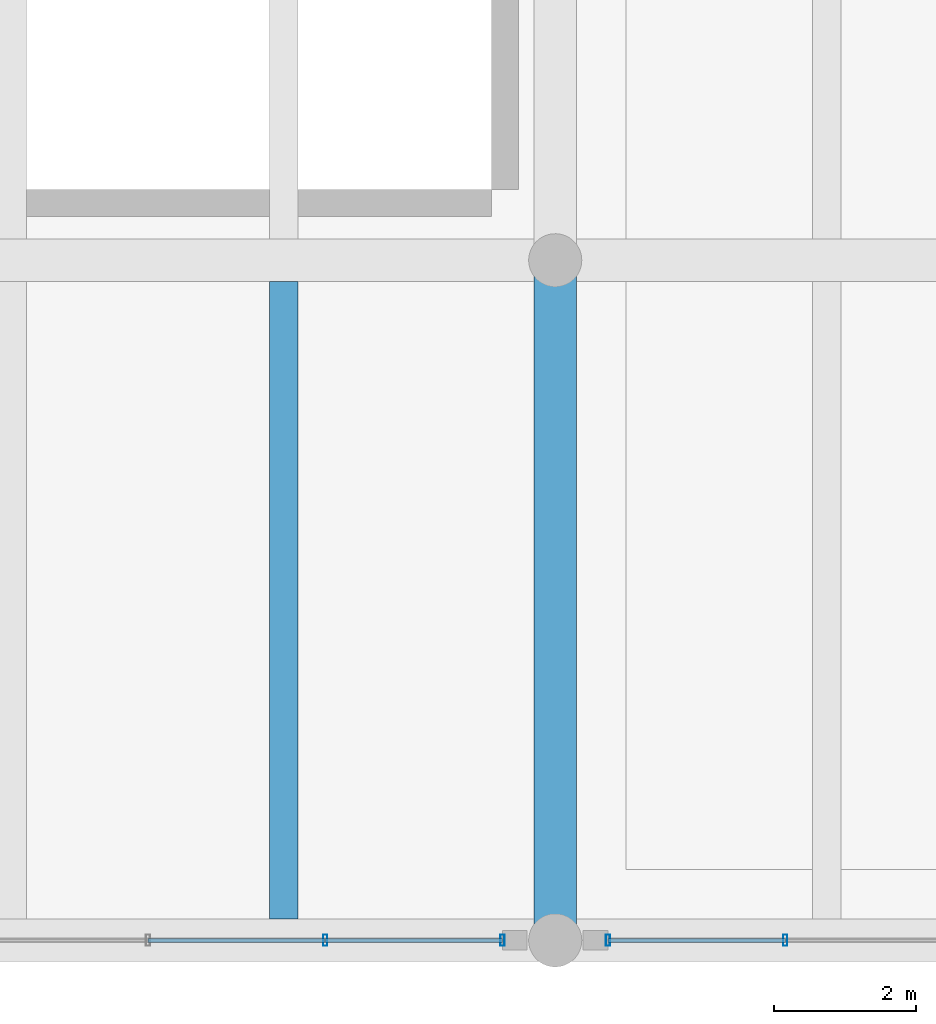
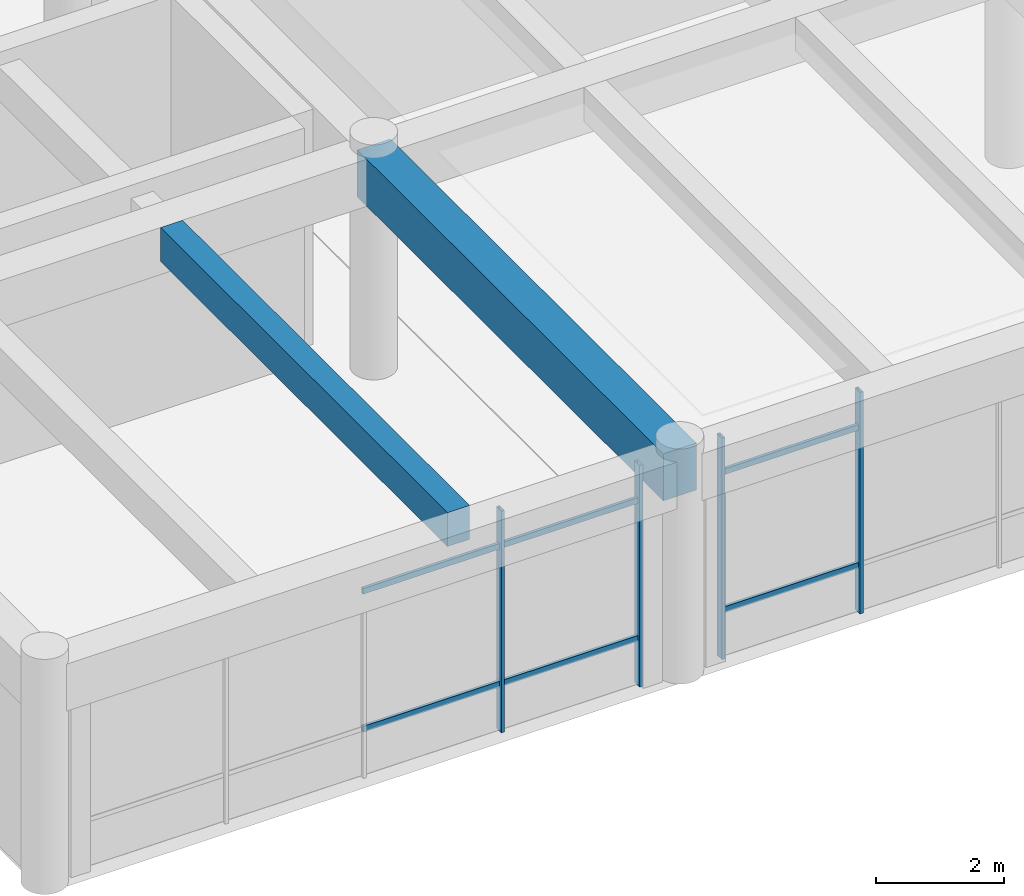
# One storey, part 27 of 154: 10 members, 2 beams, 2 elements without a shape of their own.
"""IFC4 building model written with IfcOpenShell, lengths in metres."""

from ifc_helpers import new_model, si_unit, direction, frame, origin, origin_2d, place, context, subcontext, project, spatial, rectangle, hollow_rectangle, extrude, material, material_profile, profile_set, type_object, element, aggregate, save


model = new_model("IFC4")

# Units and contexts
model_context = context("Model", 3, precision=1e-05, world=origin(), true_north=direction((0.0, 1.0)))
body_context = subcontext(model_context, "Body", "Model", "MODEL_VIEW")
ifc_project = project(units=[si_unit("LENGTHUNIT", "METRE"), si_unit("AREAUNIT", "SQUARE_METRE"), si_unit("VOLUMEUNIT", "CUBIC_METRE"), si_unit("PLANEANGLEUNIT", "RADIAN"), si_unit("MASSUNIT", "GRAM", prefix="KILO")], contexts=[model_context])

# Site, building, storey
site_placement = place(None, origin())
site = spatial("IfcSite", under=ifc_project, at=site_placement, CompositionType="ELEMENT")
building_placement = place(site_placement, origin())
building = spatial("IfcBuilding", under=site, at=building_placement, Name="Ologun Quay Terminus", CompositionType="ELEMENT")
storey_placement = place(building_placement, frame((0.0, 0.0, 13.800048828125)))
storey = spatial("IfcBuildingStorey", under=building, at=storey_placement, Name="L03", CompositionType="ELEMENT", Elevation=13.800048828125)

# Curtain wall, members
ifc_material_1 = material(Name="Aluminium 6063-T6", Category="aluminium")
curtain_wall_type = type_object("IfcCurtainWallType", Name="South Pavilion Reading Hall Curtain Wall 10700x4150", PredefinedType="USERDEFINED", material=ifc_material_1)
curtain_wall_1_placement = place(storey_placement, origin())
curtain_wall_1 = element("IfcCurtainWall", 1, at=curtain_wall_1_placement, inside=storey, type_object=curtain_wall_type, Name="CW-06 Curtain Wall CW-L03-034", ObjectType="UNITISED CURTAIN WALL", PredefinedType="USERDEFINED")
ifc_material_2 = material(Name="Aluminium 6063-T6", Category="aluminium")
ifc_material_profile_1 = material_profile(ifc_material_2, hollow_rectangle(XDim=0.06005859375, YDim=0.159912109375, WallThickness=0.00390625, at=origin_2d()), Name="ALU 160x60x4")
ifc_profile_set_1 = profile_set([ifc_material_profile_1], Name="Aluminium 6063-T6")
member_type_1 = type_object("IfcMemberType", Name="Curtain Wall Standard Mullion 160x65", PredefinedType="MULLION", material=ifc_profile_set_1)
member_1_placement = place(storey_placement, frame((65.75244140625, 8.0, 0.0), z_axis=(0.0, 0.0, 1.0), x_axis=(1.0, 0.0, 0.0)))
member_1 = element("IfcMember", 2, at=member_1_placement, type_object=member_type_1, Name="CW-L03-034 Mullion 4", PredefinedType="MULLION", context=body_context, shape_type="SweptSolid", body=[
    extrude(hollow_rectangle(XDim=0.06005859375, YDim=0.159912109375, WallThickness=0.00390625, at=origin_2d()), origin(), (0.0, 0.0, 1.0), 4.239990234375),
])
member_2_placement = place(storey_placement, frame((68.2548828125, 8.0, 0.0), z_axis=(0.0, 0.0, 1.0), x_axis=(1.0, 0.0, 0.0)))
member_2 = element("IfcMember", 3, at=member_2_placement, type_object=member_type_1, Name="CW-L03-034 Mullion 5", PredefinedType="MULLION", context=body_context, shape_type="SweptSolid", body=[
    extrude(hollow_rectangle(XDim=0.06005859375, YDim=0.159912109375, WallThickness=0.00390625, at=origin_2d()), origin(), (0.0, 0.0, 1.0), 4.239990234375),
])

curtain_wall_2_placement = place(storey_placement, origin())
curtain_wall_2 = element("IfcCurtainWall", 4, at=curtain_wall_2_placement, inside=storey, type_object=curtain_wall_type, Name="CW-06 Curtain Wall CW-L03-035", ObjectType="UNITISED CURTAIN WALL", PredefinedType="USERDEFINED")
member_3_placement = place(storey_placement, frame((69.7451171875, 8.0, 0.0), z_axis=(0.0, 0.0, 1.0), x_axis=(1.0, 0.0, 0.0)))
member_3 = element("IfcMember", 5, at=member_3_placement, type_object=member_type_1, Name="CW-L03-035 Mullion 1", PredefinedType="MULLION", context=body_context, shape_type="SweptSolid", body=[
    extrude(hollow_rectangle(XDim=0.06005859375, YDim=0.159912109375, WallThickness=0.00390625, at=origin_2d()), origin(), (0.0, 0.0, 1.0), 4.239990234375),
])
member_4_placement = place(storey_placement, frame((72.24755859375, 8.0, 0.0), z_axis=(0.0, 0.0, 1.0), x_axis=(1.0, 0.0, 0.0)))
member_4 = element("IfcMember", 6, at=member_4_placement, type_object=member_type_1, Name="CW-L03-035 Mullion 2", PredefinedType="MULLION", context=body_context, shape_type="SweptSolid", body=[
    extrude(hollow_rectangle(XDim=0.06005859375, YDim=0.159912109375, WallThickness=0.00390625, at=origin_2d()), origin(), (0.0, 0.0, 1.0), 4.239990234375),
])

# Member
ifc_material_3 = material(Name="Aluminium 6063-T6", Category="aluminium")
ifc_material_profile_2 = material_profile(ifc_material_3, hollow_rectangle(XDim=0.054931640625, YDim=0.110107421875, WallThickness=0.00390625, at=origin_2d()), Name="ALU 110x55x4")
ifc_profile_set_2 = profile_set([ifc_material_profile_2], Name="Aluminium 6063-T6")
member_type_2 = type_object("IfcMemberType", Name="Curtain Wall Standard Transom 110x55", PredefinedType="USERDEFINED", material=ifc_profile_set_2)
member_5_placement = place(storey_placement, frame((63.25, 8.0, 0.89990234375), z_axis=(1.0, 0.0, 0.0), x_axis=(0.0, 1.0, 0.0)))
member_5 = element("IfcMember", 7, at=member_5_placement, type_object=member_type_2, Name="CW-L03-034 Transom B3-1", ObjectType="TRANSOM", PredefinedType="USERDEFINED", context=body_context, shape_type="SweptSolid", body=[
    extrude(hollow_rectangle(XDim=0.054931640625, YDim=0.110107421875, WallThickness=0.00390625, at=origin_2d()), origin(), (0.0, 0.0, 1.0), 2.50244140625),
])

member_6_placement = place(storey_placement, frame((63.25, 8.0, 3.5400390625), z_axis=(1.0, 0.0, 0.0), x_axis=(0.0, 1.0, 0.0)))
member_6 = element("IfcMember", 8, at=member_6_placement, type_object=member_type_2, Name="CW-L03-034 Transom B3-2", ObjectType="TRANSOM", PredefinedType="USERDEFINED", context=body_context, shape_type="SweptSolid", body=[
    extrude(hollow_rectangle(XDim=0.054931640625, YDim=0.110107421875, WallThickness=0.00390625, at=origin_2d()), origin(), (0.0, 0.0, 1.0), 2.50244140625),
])

member_7_placement = place(storey_placement, frame((65.75244140625, 8.0, 0.89990234375), z_axis=(1.0, 0.0, 0.0), x_axis=(0.0, 1.0, 0.0)))
member_7 = element("IfcMember", 9, at=member_7_placement, type_object=member_type_2, Name="CW-L03-034 Transom B4-1", ObjectType="TRANSOM", PredefinedType="USERDEFINED", context=body_context, shape_type="SweptSolid", body=[
    extrude(hollow_rectangle(XDim=0.054931640625, YDim=0.110107421875, WallThickness=0.00390625, at=origin_2d()), origin(), (0.0, 0.0, 1.0), 2.50244140625),
])

member_8_placement = place(storey_placement, frame((65.75244140625, 8.0, 3.5400390625), z_axis=(1.0, 0.0, 0.0), x_axis=(0.0, 1.0, 0.0)))
member_8 = element("IfcMember", 10, at=member_8_placement, type_object=member_type_2, Name="CW-L03-034 Transom B4-2", ObjectType="TRANSOM", PredefinedType="USERDEFINED", context=body_context, shape_type="SweptSolid", body=[
    extrude(hollow_rectangle(XDim=0.054931640625, YDim=0.110107421875, WallThickness=0.00390625, at=origin_2d()), origin(), (0.0, 0.0, 1.0), 2.50244140625),
])

aggregate(curtain_wall_1, [member_1, member_2, member_5, member_6, member_7, member_8])

member_9_placement = place(storey_placement, frame((69.7451171875, 8.0, 0.89990234375), z_axis=(1.0, 0.0, 0.0), x_axis=(0.0, 1.0, 0.0)))
member_9 = element("IfcMember", 11, at=member_9_placement, type_object=member_type_2, Name="CW-L03-035 Transom B1-1", ObjectType="TRANSOM", PredefinedType="USERDEFINED", context=body_context, shape_type="SweptSolid", body=[
    extrude(hollow_rectangle(XDim=0.054931640625, YDim=0.110107421875, WallThickness=0.00390625, at=origin_2d()), origin(), (0.0, 0.0, 1.0), 2.50244140625),
])

member_10_placement = place(storey_placement, frame((69.7451171875, 8.0, 3.5400390625), z_axis=(1.0, 0.0, 0.0), x_axis=(0.0, 1.0, 0.0)))
member_10 = element("IfcMember", 12, at=member_10_placement, type_object=member_type_2, Name="CW-L03-035 Transom B1-2", ObjectType="TRANSOM", PredefinedType="USERDEFINED", context=body_context, shape_type="SweptSolid", body=[
    extrude(hollow_rectangle(XDim=0.054931640625, YDim=0.110107421875, WallThickness=0.00390625, at=origin_2d()), origin(), (0.0, 0.0, 1.0), 2.50244140625),
])

aggregate(curtain_wall_2, [member_3, member_4, member_9, member_10])

# Beams
ifc_material_4 = material(Name="Concrete C40/50", Category="concrete")
ifc_material_profile_3 = material_profile(ifc_material_4, rectangle(XDim=0.60009765625, YDim=0.89990234375, at=origin_2d()), Name="RC 600x900")
ifc_profile_set_3 = profile_set([ifc_material_profile_3], Name="Concrete C40/50")
beam_type_1 = type_object("IfcBeamType", Name="Station Frame Girder 600x900", PredefinedType="BEAM", material=ifc_profile_set_3)
beam_1_placement = place(storey_placement, frame((69.0, 8.0, 3.800048828125), z_axis=(0.0, 1.0, 0.0), x_axis=(-1.0, 0.0, 0.0)))
element("IfcBeam", 13, at=beam_1_placement, inside=storey, type_object=beam_type_1, Name="B3 Beam 7/B L03", PredefinedType="BEAM", context=body_context, shape_type="SweptSolid", body=[
    extrude(rectangle(XDim=0.60009765625, YDim=0.89990234375, at=origin_2d()), origin(), (0.0, 0.0, 1.0), 9.60009765625),
])
ifc_material_5 = material(Name="Concrete C40/50", Category="concrete")
ifc_material_profile_4 = material_profile(ifc_material_5, rectangle(XDim=0.39990234375, YDim=0.64990234375, at=origin_2d()), Name="RC 400x650")
ifc_profile_set_4 = profile_set([ifc_material_profile_4], Name="Concrete C40/50")
beam_type_2 = type_object("IfcBeamType", Name="Station Secondary Joist 400x650", PredefinedType="JOIST", material=ifc_profile_set_4)
beam_2_placement = place(storey_placement, frame((65.166748046875, 8.300048828125, 3.925048828125), z_axis=(0.0, 1.0, 0.0), x_axis=(-1.0, 0.0, 0.0)))
element("IfcBeam", 14, at=beam_2_placement, inside=storey, type_object=beam_type_2, Name="J1 Beam 6/B L03", PredefinedType="JOIST", context=body_context, shape_type="SweptSolid", body=[
    extrude(rectangle(XDim=0.39990234375, YDim=0.64990234375, at=origin_2d()), origin(), (0.0, 0.0, 1.0), 9.0),
])

save(model, "model.ifc")
